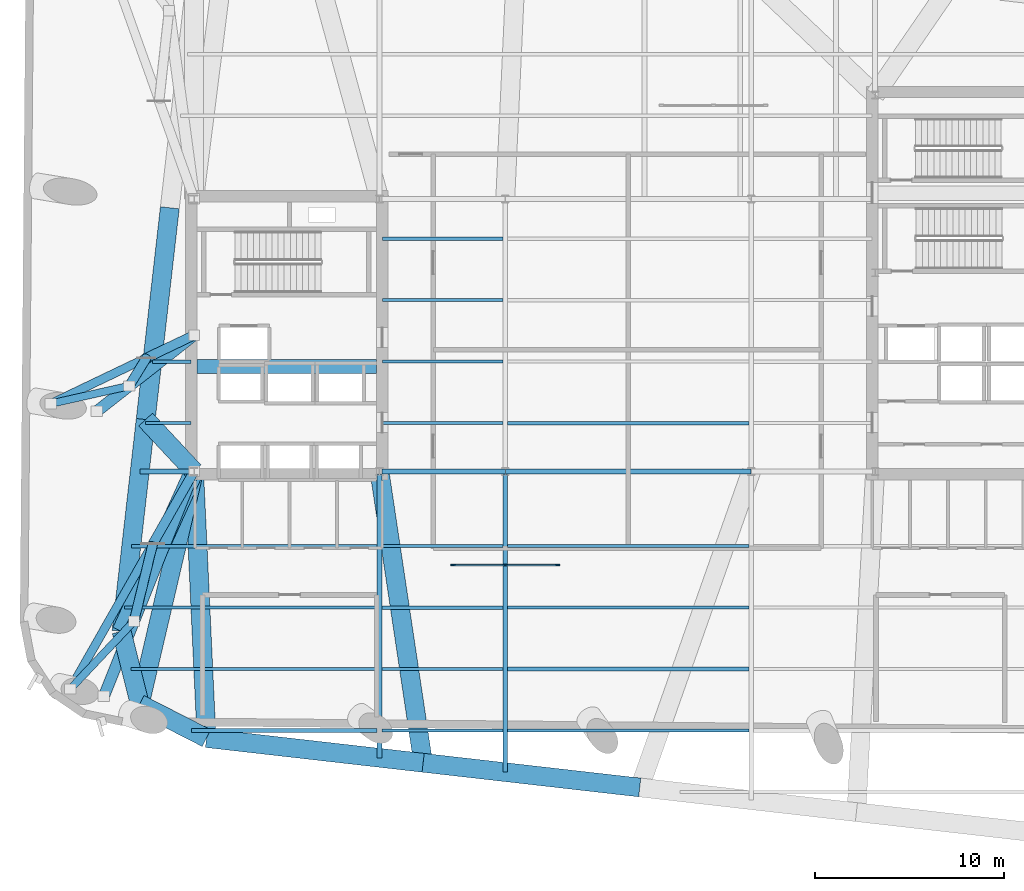
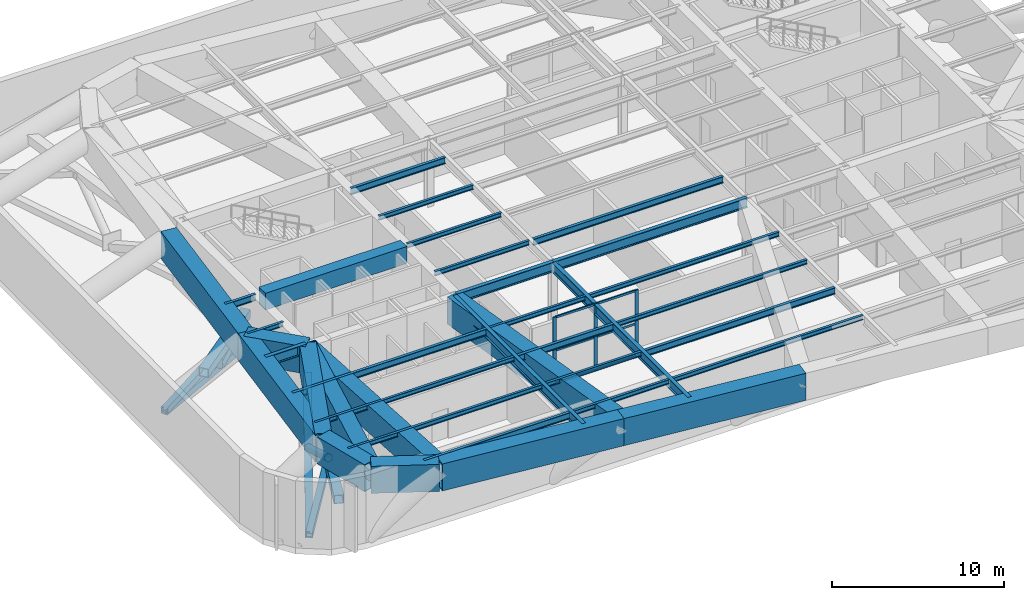
# One storey, part 3 of 13: 36 beams, 19 members, 1 element without a shape of its own.
"""IFC4 building model written with IfcOpenShell, lengths in metres."""

from ifc_helpers import new_model, si_unit, direction, frame, origin, origin_2d, place, context, subcontext, project, spatial, rectangle, hollow_rectangle, hollow_circle, i_section, extrude, material, material_profile, profile_set, type_object, element, aggregate, save


model = new_model("IFC4")

# Units and contexts
model_context = context("Model", 3, precision=1e-05, world=origin(), true_north=direction((0.0, 1.0)))
body_context = subcontext(model_context, "Body", "Model", "MODEL_VIEW")
ifc_project = project(units=[si_unit("LENGTHUNIT", "METRE"), si_unit("AREAUNIT", "SQUARE_METRE"), si_unit("VOLUMEUNIT", "CUBIC_METRE"), si_unit("PLANEANGLEUNIT", "RADIAN"), si_unit("MASSUNIT", "GRAM", prefix="KILO")], contexts=[model_context])

# Site, building, storey
site_placement = place(None, origin())
site = spatial("IfcSite", under=ifc_project, at=site_placement, CompositionType="ELEMENT")
building_placement = place(site_placement, origin())
building = spatial("IfcBuilding", under=site, at=building_placement, Name="Kolvaren Arena Tower", CompositionType="ELEMENT")
storey_placement = place(building_placement, frame((0.0, 0.0, 210.949951171875)))
storey = spatial("IfcBuildingStorey", under=building, at=storey_placement, Name="L51", CompositionType="ELEMENT", Elevation=210.949951171875)

# Beams
ifc_material_1 = material(Name="Steel CSA G40.21 350W", Category="steel")
ifc_material_profile_1 = material_profile(ifc_material_1, i_section(OverallWidth=0.193115234375, OverallDepth=0.462890625, WebThickness=0.0107421875, FlangeThickness=0.0205078125, FilletRadius=0.012939453125, at=origin_2d()), Name="W460x113")
ifc_profile_set_1 = profile_set([ifc_material_profile_1], Name="Steel CSA G40.21 350W")
beam_type_1 = type_object("IfcBeamType", Name="BEAM-F2", PredefinedType="BEAM", material=ifc_profile_set_1)
beam_1_placement = place(storey_placement, frame((14.42626953125, 5.75, 4.5185546875), z_axis=(1.0, 0.0, 0.0), x_axis=(0.0, 1.0, 0.0)))
element("IfcBeam", 1, at=beam_1_placement, inside=storey, type_object=beam_type_1, Name="Composite Floor Beam (L51)", PredefinedType="BEAM", context=body_context, shape_type="SweptSolid", body=[
    extrude(i_section(OverallWidth=0.193115234375, OverallDepth=0.462890625, WebThickness=0.0107421875, FlangeThickness=0.0205078125, FilletRadius=0.012939453125, at=origin_2d()), origin(), (0.0, 0.0, 1.0), 9.796142578125),
])
beam_2_placement = place(storey_placement, frame((31.12744140625, 9.0, 4.5185546875), z_axis=(1.0, 0.0, 0.0), x_axis=(0.0, 1.0, 0.0)))
element("IfcBeam", 2, at=beam_2_placement, inside=storey, type_object=beam_type_1, Name="Composite Floor Beam (L51)", PredefinedType="BEAM", context=body_context, shape_type="SweptSolid", body=[
    extrude(i_section(OverallWidth=0.193115234375, OverallDepth=0.462890625, WebThickness=0.0107421875, FlangeThickness=0.0205078125, FilletRadius=0.012939453125, at=origin_2d()), origin(), (0.0, 0.0, 1.0), 12.7451171875),
])
beam_3_placement = place(storey_placement, frame((24.4775390625, 12.25, 4.5185546875), z_axis=(1.0, 0.0, 0.0), x_axis=(0.0, 1.0, 0.0)))
element("IfcBeam", 3, at=beam_3_placement, inside=storey, type_object=beam_type_1, Name="Composite Floor Beam (L51)", PredefinedType="BEAM", context=body_context, shape_type="SweptSolid", body=[
    extrude(i_section(OverallWidth=0.193115234375, OverallDepth=0.462890625, WebThickness=0.0107421875, FlangeThickness=0.0205078125, FilletRadius=0.012939453125, at=origin_2d()), origin(), (0.0, 0.0, 1.0), 6.39501953125),
])
beam_4_placement = place(storey_placement, frame((11.23095703125, 15.5, 4.5185546875), z_axis=(1.0, 0.0, 0.0), x_axis=(0.0, 1.0, 0.0)))
element("IfcBeam", 4, at=beam_4_placement, inside=storey, type_object=beam_type_1, Name="Composite Floor Beam (L51)", PredefinedType="BEAM", context=body_context, shape_type="SweptSolid", body=[
    extrude(i_section(OverallWidth=0.193115234375, OverallDepth=0.462890625, WebThickness=0.0107421875, FlangeThickness=0.0205078125, FilletRadius=0.012939453125, at=origin_2d()), origin(), (0.0, 0.0, 1.0), 12.991455078125),
])
beam_5_placement = place(storey_placement, frame((31.12744140625, 22.0, 4.5185546875), z_axis=(1.0, 0.0, 0.0), x_axis=(0.0, 1.0, 0.0)))
element("IfcBeam", 5, at=beam_5_placement, inside=storey, type_object=beam_type_1, Name="Composite Floor Beam (L51)", PredefinedType="BEAM", context=body_context, shape_type="SweptSolid", body=[
    extrude(i_section(OverallWidth=0.193115234375, OverallDepth=0.462890625, WebThickness=0.0107421875, FlangeThickness=0.0205078125, FilletRadius=0.012939453125, at=origin_2d()), origin(), (0.0, 0.0, 1.0), 12.7451171875),
])
beam_6_placement = place(storey_placement, frame((12.341796875, 25.25, 4.5185546875), z_axis=(1.0, 0.0, 0.0), x_axis=(0.0, 1.0, 0.0)))
element("IfcBeam", 6, at=beam_6_placement, inside=storey, type_object=beam_type_1, Name="Composite Floor Beam (L51)", PredefinedType="BEAM", context=body_context, shape_type="SweptSolid", body=[
    extrude(i_section(OverallWidth=0.193115234375, OverallDepth=0.462890625, WebThickness=0.0107421875, FlangeThickness=0.0205078125, FilletRadius=0.012939453125, at=origin_2d()), origin(), (0.0, 0.0, 1.0), 2.0380859375),
])
beam_7_placement = place(storey_placement, frame((24.52001953125, 31.75, 4.5185546875), z_axis=(1.0, 0.0, 0.0), x_axis=(0.0, 1.0, 0.0)))
element("IfcBeam", 7, at=beam_7_placement, inside=storey, type_object=beam_type_1, Name="Composite Floor Beam (L51)", PredefinedType="BEAM", context=body_context, shape_type="SweptSolid", body=[
    extrude(i_section(OverallWidth=0.193115234375, OverallDepth=0.462890625, WebThickness=0.0107421875, FlangeThickness=0.0205078125, FilletRadius=0.012939453125, at=origin_2d()), origin(), (0.0, 0.0, 1.0), 6.3525390625),
])

# Members
ifc_material_2 = material(Name="Steel CSA G40.21 350WT", Category="steel")
ifc_material_profile_2 = material_profile(ifc_material_2, hollow_rectangle(XDim=0.449951171875, YDim=0.449951171875, WallThickness=0.02001953125, at=origin_2d()), Name="HSS 450x450x20")
ifc_profile_set_2 = profile_set([ifc_material_profile_2], Name="Steel CSA G40.21 350WT")
member_type_1 = type_object("IfcMemberType", Name="BELT-CHORD", PredefinedType="CHORD", material=ifc_profile_set_2)
member_1_placement = place(storey_placement, frame((14.550048828125, 19.449951171875, 0.35009765625), z_axis=(-0.494598493535, -0.869121585391, 0.0), x_axis=(0.869121585391, -0.494598493535, 0.0)))
element("IfcMember", 8, at=member_1_placement, inside=storey, type_object=member_type_1, Name="Belt Truss Bottom Chord 1 (L51)", PredefinedType="CHORD", context=body_context, shape_type="SweptSolid", body=[
    extrude(hollow_rectangle(XDim=0.449951171875, YDim=0.449951171875, WallThickness=0.02001953125, at=origin_2d()), origin(), (0.0, 0.0, 1.0), 13.234375),
])
member_2_placement = place(storey_placement, frame((14.550048828125, 26.64990234375, 0.35009765625), z_axis=(-0.902058891434, -0.431612970594, 0.0), x_axis=(0.431612970594, -0.902058891434, 0.0)))
element("IfcMember", 9, at=member_2_placement, inside=storey, type_object=member_type_1, Name="Belt Truss Bottom Chord 5 (L51)", PredefinedType="CHORD", context=body_context, shape_type="SweptSolid", body=[
    extrude(hollow_rectangle(XDim=0.449951171875, YDim=0.449951171875, WallThickness=0.02001953125, at=origin_2d()), origin(), (0.0, 0.0, 1.0), 8.39306640625),
])
ifc_material_profile_3 = material_profile(ifc_material_2, hollow_rectangle(XDim=0.39990234375, YDim=0.39990234375, WallThickness=0.01611328125, at=origin_2d()), Name="HSS 400x400x16")
ifc_profile_set_3 = profile_set([ifc_material_profile_3], Name="Steel CSA G40.21 350WT")
member_type_2 = type_object("IfcMemberType", Name="BELT-DIAG", PredefinedType="BRACE", material=ifc_profile_set_3)
member_3_placement = place(storey_placement, frame((11.37255859375, 11.525390625, 2.47998046875), z_axis=(-0.628927415445, -0.668041631337, -0.39770678257), x_axis=(0.728100795107, -0.685470081159, 0.0)))
element("IfcMember", 10, at=member_3_placement, inside=storey, type_object=member_type_2, Name="Belt Truss Warren Diagonal C 1 (L51)", PredefinedType="BRACE", context=body_context, shape_type="SweptSolid", body=[
    extrude(hollow_rectangle(XDim=0.39990234375, YDim=0.39990234375, WallThickness=0.01611328125, at=origin_2d()), origin(), (0.0, 0.0, 1.0), 5.35546875),
])
member_4_placement = place(storey_placement, frame((11.120849609375, 23.964599609375, 2.47998046875), z_axis=(-0.871827742136, -0.197285393579, -0.448324504709), x_axis=(0.220709052537, -0.97533969166, 0.0)))
element("IfcMember", 11, at=member_4_placement, inside=storey, type_object=member_type_2, Name="Belt Truss Warren Diagonal C 5 (L51)", PredefinedType="BRACE", context=body_context, shape_type="SweptSolid", body=[
    extrude(hollow_rectangle(XDim=0.39990234375, YDim=0.39990234375, WallThickness=0.01611328125, at=origin_2d()), origin(), (0.0, 0.0, 1.0), 4.750732421875),
])

# Beam
ifc_material_3 = material(Name="Concrete 60 MPa", Category="concrete")
ifc_material_profile_4 = material_profile(ifc_material_3, rectangle(XDim=0.75, YDim=1.199951171875, at=origin_2d()), Name="RC-750x1200")
ifc_profile_set_4 = profile_set([ifc_material_profile_4], Name="Concrete 60 MPa")
beam_type_2 = type_object("IfcBeamType", Name="CB-CORE-2", PredefinedType="BEAM", material=ifc_profile_set_4)
beam_8_placement = place(storey_placement, frame((14.699951171875, 25.0, 4.420166015625), z_axis=(1.0, 0.0, 0.0), x_axis=(0.0, 1.0, 0.0)))
element("IfcBeam", 12, at=beam_8_placement, inside=storey, type_object=beam_type_2, Name="West Core Coupling Beam (L51)", PredefinedType="BEAM", context=body_context, shape_type="SweptSolid", body=[
    extrude(rectangle(XDim=0.75, YDim=1.199951171875, at=origin_2d()), origin(), (0.0, 0.0, 1.0), 9.5),
])

# Curtain wall, members
ifc_material_4 = material(Name="Anodised aluminium unitised curtain wall", Category="aluminium")
curtain_wall_type = type_object("IfcCurtainWallType", Name="CW-SYS-05", PredefinedType="USERDEFINED", material=ifc_material_4)
curtain_wall_placement = place(storey_placement, origin())
curtain_wall = element("IfcCurtainWall", 13, at=curtain_wall_placement, inside=storey, type_object=curtain_wall_type, Name="Mechanical Plant Louvre Curtain Wall (L51)", ObjectType="ACOUSTIC LOUVRE SCREEN", PredefinedType="USERDEFINED")
ifc_material_5 = material(Name="Anodised aluminium 6063-T6", Category="aluminium")
ifc_material_profile_5 = material_profile(ifc_material_5, rectangle(XDim=0.10009765625, YDim=0.239990234375, at=origin_2d()), Name="ALU-100x240")
ifc_profile_set_5 = profile_set([ifc_material_profile_5], Name="Anodised aluminium 6063-T6")
member_type_3 = type_object("IfcMemberType", Name="CWM-HVY", PredefinedType="MULLION", material=ifc_profile_set_5)
member_5_placement = place(storey_placement, frame((28.25, 14.5, 0.0), z_axis=(0.0, 0.0, 1.0), x_axis=(0.0, 1.0, 0.0)))
member_5 = element("IfcMember", 14, at=member_5_placement, type_object=member_type_3, Name="CW5 mullion 1", PredefinedType="MULLION", context=body_context, shape_type="SweptSolid", body=[
    extrude(rectangle(XDim=0.10009765625, YDim=0.239990234375, at=origin_2d()), origin(), (0.0, 0.0, 1.0), 4.75),
])
member_6_placement = place(storey_placement, frame((31.0, 14.5, 0.0), z_axis=(0.0, 0.0, 1.0), x_axis=(0.0, 1.0, 0.0)))
member_6 = element("IfcMember", 15, at=member_6_placement, type_object=member_type_3, Name="CW5 mullion 2", PredefinedType="MULLION", context=body_context, shape_type="SweptSolid", body=[
    extrude(rectangle(XDim=0.10009765625, YDim=0.239990234375, at=origin_2d()), origin(), (0.0, 0.0, 1.0), 4.75),
])
member_7_placement = place(storey_placement, frame((33.75, 14.5, 0.0), z_axis=(0.0, 0.0, 1.0), x_axis=(0.0, 1.0, 0.0)))
member_7 = element("IfcMember", 16, at=member_7_placement, type_object=member_type_3, Name="CW5 mullion 3", PredefinedType="MULLION", context=body_context, shape_type="SweptSolid", body=[
    extrude(rectangle(XDim=0.10009765625, YDim=0.239990234375, at=origin_2d()), origin(), (0.0, 0.0, 1.0), 4.75),
])
ifc_material_profile_6 = material_profile(ifc_material_5, rectangle(XDim=0.080078125, YDim=0.14990234375, at=origin_2d()), Name="ALU-80x150")
ifc_profile_set_6 = profile_set([ifc_material_profile_6], Name="Anodised aluminium 6063-T6")
member_type_4 = type_object("IfcMemberType", Name="CWT-STD", PredefinedType="USERDEFINED", material=ifc_profile_set_6)
member_8_placement = place(storey_placement, frame((28.300048828125, 14.5, 0.0400390625), z_axis=(1.0, 0.0, 0.0), x_axis=(0.0, 1.0, 0.0)))
member_8 = element("IfcMember", 17, at=member_8_placement, type_object=member_type_4, Name="CW5 transom 1.1", ObjectType="TRANSOM", PredefinedType="USERDEFINED", context=body_context, shape_type="SweptSolid", body=[
    extrude(rectangle(XDim=0.080078125, YDim=0.14990234375, at=origin_2d()), origin(), (0.0, 0.0, 1.0), 2.64990234375),
])
member_9_placement = place(storey_placement, frame((28.300048828125, 14.5, 2.375), z_axis=(1.0, 0.0, 0.0), x_axis=(0.0, 1.0, 0.0)))
member_9 = element("IfcMember", 18, at=member_9_placement, type_object=member_type_4, Name="CW5 transom 1.2", ObjectType="TRANSOM", PredefinedType="USERDEFINED", context=body_context, shape_type="SweptSolid", body=[
    extrude(rectangle(XDim=0.080078125, YDim=0.14990234375, at=origin_2d()), origin(), (0.0, 0.0, 1.0), 2.64990234375),
])
member_10_placement = place(storey_placement, frame((28.300048828125, 14.5, 4.7099609375), z_axis=(1.0, 0.0, 0.0), x_axis=(0.0, 1.0, 0.0)))
member_10 = element("IfcMember", 19, at=member_10_placement, type_object=member_type_4, Name="CW5 transom 1.3", ObjectType="TRANSOM", PredefinedType="USERDEFINED", context=body_context, shape_type="SweptSolid", body=[
    extrude(rectangle(XDim=0.080078125, YDim=0.14990234375, at=origin_2d()), origin(), (0.0, 0.0, 1.0), 2.64990234375),
])
member_11_placement = place(storey_placement, frame((31.050048828125, 14.5, 0.0400390625), z_axis=(1.0, 0.0, 0.0), x_axis=(0.0, 1.0, 0.0)))
member_11 = element("IfcMember", 20, at=member_11_placement, type_object=member_type_4, Name="CW5 transom 2.1", ObjectType="TRANSOM", PredefinedType="USERDEFINED", context=body_context, shape_type="SweptSolid", body=[
    extrude(rectangle(XDim=0.080078125, YDim=0.14990234375, at=origin_2d()), origin(), (0.0, 0.0, 1.0), 2.64990234375),
])
member_12_placement = place(storey_placement, frame((31.050048828125, 14.5, 2.375), z_axis=(1.0, 0.0, 0.0), x_axis=(0.0, 1.0, 0.0)))
member_12 = element("IfcMember", 21, at=member_12_placement, type_object=member_type_4, Name="CW5 transom 2.2", ObjectType="TRANSOM", PredefinedType="USERDEFINED", context=body_context, shape_type="SweptSolid", body=[
    extrude(rectangle(XDim=0.080078125, YDim=0.14990234375, at=origin_2d()), origin(), (0.0, 0.0, 1.0), 2.64990234375),
])
member_13_placement = place(storey_placement, frame((31.050048828125, 14.5, 4.7099609375), z_axis=(1.0, 0.0, 0.0), x_axis=(0.0, 1.0, 0.0)))
member_13 = element("IfcMember", 22, at=member_13_placement, type_object=member_type_4, Name="CW5 transom 2.3", ObjectType="TRANSOM", PredefinedType="USERDEFINED", context=body_context, shape_type="SweptSolid", body=[
    extrude(rectangle(XDim=0.080078125, YDim=0.14990234375, at=origin_2d()), origin(), (0.0, 0.0, 1.0), 2.64990234375),
])
aggregate(curtain_wall, [member_5, member_6, member_7, member_8, member_9, member_10, member_11, member_12, member_13])

# Members
ifc_material_profile_7 = material_profile(ifc_material_2, hollow_circle(Radius=0.25390625, WallThickness=0.02490234375, at=origin_2d()), Name="CHS 508x25")
ifc_profile_set_7 = profile_set([ifc_material_profile_7], Name="Steel CSA G40.21 350WT")
member_type_5 = type_object("IfcMemberType", Name="EXO-BRACE1", PredefinedType="BRACE", material=ifc_profile_set_7)
member_14_placement = place(storey_placement, frame((12.3681640625, 15.615966796875, 0.35009765625), z_axis=(-0.211018415547, -0.866996947645, 0.45142831222), x_axis=(0.971634839062, -0.236486235374, 0.0)))
element("IfcMember", 23, at=member_14_placement, inside=storey, type_object=member_type_5, Name="Outrigger Warren Diagonal B 1 (L51)", PredefinedType="BRACE", context=body_context, shape_type="SweptSolid", body=[
    extrude(hollow_circle(Radius=0.25390625, WallThickness=0.02490234375, at=origin_2d()), origin(), (0.0, 0.0, 1.0), 4.718017578125),
])
member_15_placement = place(storey_placement, frame((12.0263671875, 25.4423828125, 0.35009765625), z_axis=(-0.329765545408, -0.538169546065, 0.775646971728), x_axis=(0.852657934508, -0.522469565354, 0.0)))
element("IfcMember", 24, at=member_15_placement, inside=storey, type_object=member_type_5, Name="Outrigger Warren Diagonal B 5 (L51)", PredefinedType="BRACE", context=body_context, shape_type="SweptSolid", body=[
    extrude(hollow_circle(Radius=0.25390625, WallThickness=0.02490234375, at=origin_2d()), origin(), (0.0, 0.0, 1.0), 2.745849609375),
])

# Beams
ifc_material_profile_8 = material_profile(ifc_material_1, i_section(OverallWidth=0.2548828125, OverallDepth=0.695068359375, WebThickness=0.01708984375, FlangeThickness=0.02978515625, FilletRadius=0.01611328125, at=origin_2d()), Name="W690x217")
ifc_profile_set_8 = profile_set([ifc_material_profile_8], Name="Steel CSA G40.21 350W")
beam_type_3 = type_object("IfcBeamType", Name="GIRD-T2", PredefinedType="BEAM", material=ifc_profile_set_8)
beam_9_placement = place(storey_placement, frame((11.68115234375, 19.449951171875, 4.402587890625), z_axis=(1.0, 0.0, 0.0), x_axis=(0.0, 1.0, 0.0)))
element("IfcBeam", 25, at=beam_9_placement, inside=storey, type_object=beam_type_3, Name="Primary Floor Girder (L51)", PredefinedType="BEAM", context=body_context, shape_type="SweptSolid", body=[
    extrude(i_section(OverallWidth=0.2548828125, OverallDepth=0.695068359375, WebThickness=0.01708984375, FlangeThickness=0.02978515625, FilletRadius=0.01611328125, at=origin_2d()), origin(), (0.0, 0.0, 1.0), 2.73876953125),
])
beam_10_placement = place(storey_placement, frame((24.47998046875, 19.449951171875, 4.402587890625), z_axis=(1.0, 0.0, 0.0), x_axis=(0.0, 1.0, 0.0)))
element("IfcBeam", 26, at=beam_10_placement, inside=storey, type_object=beam_type_3, Name="Primary Floor Girder (L51)", PredefinedType="BEAM", context=body_context, shape_type="SweptSolid", body=[
    extrude(i_section(OverallWidth=0.2548828125, OverallDepth=0.695068359375, WebThickness=0.01708984375, FlangeThickness=0.02978515625, FilletRadius=0.01611328125, at=origin_2d()), origin(), (0.0, 0.0, 1.0), 6.52001953125),
])
beam_11_placement = place(storey_placement, frame((31.0, 19.449951171875, 4.402587890625), z_axis=(1.0, 0.0, 0.0), x_axis=(0.0, 1.0, 0.0)))
element("IfcBeam", 27, at=beam_11_placement, inside=storey, type_object=beam_type_3, Name="Primary Floor Girder (L51)", PredefinedType="BEAM", context=body_context, shape_type="SweptSolid", body=[
    extrude(i_section(OverallWidth=0.2548828125, OverallDepth=0.695068359375, WebThickness=0.01708984375, FlangeThickness=0.02978515625, FilletRadius=0.01611328125, at=origin_2d()), origin(), (0.0, 0.0, 1.0), 13.0),
])
beam_12_placement = place(storey_placement, frame((24.35009765625, 4.30908203125, 4.402587890625), z_axis=(0.0, 1.0, 0.0), x_axis=(-1.0, 0.0, 0.0)))
element("IfcBeam", 28, at=beam_12_placement, inside=storey, type_object=beam_type_3, Name="Primary Floor Girder (L51)", PredefinedType="BEAM", context=body_context, shape_type="SweptSolid", body=[
    extrude(i_section(OverallWidth=0.2548828125, OverallDepth=0.695068359375, WebThickness=0.01708984375, FlangeThickness=0.02978515625, FilletRadius=0.01611328125, at=origin_2d()), origin(), (0.0, 0.0, 1.0), 15.010986328125),
])
beam_13_placement = place(storey_placement, frame((31.0, 3.551513671875, 4.402587890625), z_axis=(0.0, 1.0, 0.0), x_axis=(-1.0, 0.0, 0.0)))
element("IfcBeam", 29, at=beam_13_placement, inside=storey, type_object=beam_type_3, Name="Primary Floor Girder (L51)", PredefinedType="BEAM", context=body_context, shape_type="SweptSolid", body=[
    extrude(i_section(OverallWidth=0.2548828125, OverallDepth=0.695068359375, WebThickness=0.01708984375, FlangeThickness=0.02978515625, FilletRadius=0.01611328125, at=origin_2d()), origin(), (0.0, 0.0, 1.0), 15.8984375),
])
ifc_material_profile_9 = material_profile(ifc_material_1, i_section(OverallWidth=0.1669921875, OverallDepth=0.31689453125, WebThickness=0.007568359375, FlangeThickness=0.01318359375, FilletRadius=0.010009765625, at=origin_2d()), Name="W310x52")
ifc_profile_set_9 = profile_set([ifc_material_profile_9], Name="Steel CSA G40.21 350W")
beam_type_4 = type_object("IfcBeamType", Name="JOIST-02", PredefinedType="JOIST", material=ifc_profile_set_9)
beam_14_placement = place(storey_placement, frame((24.4775390625, 5.75, 4.591552734375), z_axis=(1.0, 0.0, 0.0), x_axis=(0.0, 1.0, 0.0)))
element("IfcBeam", 30, at=beam_14_placement, inside=storey, type_object=beam_type_4, Name="Composite Floor Joist (L51)", PredefinedType="JOIST", context=body_context, shape_type="SweptSolid", body=[
    extrude(i_section(OverallWidth=0.1669921875, OverallDepth=0.31689453125, WebThickness=0.007568359375, FlangeThickness=0.01318359375, FilletRadius=0.010009765625, at=origin_2d()), origin(), (0.0, 0.0, 1.0), 6.39501953125),
])
beam_15_placement = place(storey_placement, frame((31.12744140625, 5.75, 4.591552734375), z_axis=(1.0, 0.0, 0.0), x_axis=(0.0, 1.0, 0.0)))
element("IfcBeam", 31, at=beam_15_placement, inside=storey, type_object=beam_type_4, Name="Composite Floor Joist (L51)", PredefinedType="JOIST", context=body_context, shape_type="SweptSolid", body=[
    extrude(i_section(OverallWidth=0.1669921875, OverallDepth=0.31689453125, WebThickness=0.007568359375, FlangeThickness=0.01318359375, FilletRadius=0.010009765625, at=origin_2d()), origin(), (0.0, 0.0, 1.0), 12.7451171875),
])
beam_16_placement = place(storey_placement, frame((11.217529296875, 9.0, 4.591552734375), z_axis=(1.0, 0.0, 0.0), x_axis=(0.0, 1.0, 0.0)))
element("IfcBeam", 32, at=beam_16_placement, inside=storey, type_object=beam_type_4, Name="Composite Floor Joist (L51)", PredefinedType="JOIST", context=body_context, shape_type="SweptSolid", body=[
    extrude(i_section(OverallWidth=0.1669921875, OverallDepth=0.31689453125, WebThickness=0.007568359375, FlangeThickness=0.01318359375, FilletRadius=0.010009765625, at=origin_2d()), origin(), (0.0, 0.0, 1.0), 13.0048828125),
])
beam_17_placement = place(storey_placement, frame((24.4775390625, 9.0, 4.591552734375), z_axis=(1.0, 0.0, 0.0), x_axis=(0.0, 1.0, 0.0)))
element("IfcBeam", 33, at=beam_17_placement, inside=storey, type_object=beam_type_4, Name="Composite Floor Joist (L51)", PredefinedType="JOIST", context=body_context, shape_type="SweptSolid", body=[
    extrude(i_section(OverallWidth=0.1669921875, OverallDepth=0.31689453125, WebThickness=0.007568359375, FlangeThickness=0.01318359375, FilletRadius=0.010009765625, at=origin_2d()), origin(), (0.0, 0.0, 1.0), 6.39501953125),
])
beam_18_placement = place(storey_placement, frame((10.86083984375, 12.25, 4.591552734375), z_axis=(1.0, 0.0, 0.0), x_axis=(0.0, 1.0, 0.0)))
element("IfcBeam", 34, at=beam_18_placement, inside=storey, type_object=beam_type_4, Name="Composite Floor Joist (L51)", PredefinedType="JOIST", context=body_context, shape_type="SweptSolid", body=[
    extrude(i_section(OverallWidth=0.1669921875, OverallDepth=0.31689453125, WebThickness=0.007568359375, FlangeThickness=0.01318359375, FilletRadius=0.010009765625, at=origin_2d()), origin(), (0.0, 0.0, 1.0), 13.361572265625),
])
beam_19_placement = place(storey_placement, frame((31.12744140625, 12.25, 4.591552734375), z_axis=(1.0, 0.0, 0.0), x_axis=(0.0, 1.0, 0.0)))
element("IfcBeam", 35, at=beam_19_placement, inside=storey, type_object=beam_type_4, Name="Composite Floor Joist (L51)", PredefinedType="JOIST", context=body_context, shape_type="SweptSolid", body=[
    extrude(i_section(OverallWidth=0.1669921875, OverallDepth=0.31689453125, WebThickness=0.007568359375, FlangeThickness=0.01318359375, FilletRadius=0.010009765625, at=origin_2d()), origin(), (0.0, 0.0, 1.0), 12.7451171875),
])
beam_20_placement = place(storey_placement, frame((24.4775390625, 15.5, 4.591552734375), z_axis=(1.0, 0.0, 0.0), x_axis=(0.0, 1.0, 0.0)))
element("IfcBeam", 36, at=beam_20_placement, inside=storey, type_object=beam_type_4, Name="Composite Floor Joist (L51)", PredefinedType="JOIST", context=body_context, shape_type="SweptSolid", body=[
    extrude(i_section(OverallWidth=0.1669921875, OverallDepth=0.31689453125, WebThickness=0.007568359375, FlangeThickness=0.01318359375, FilletRadius=0.010009765625, at=origin_2d()), origin(), (0.0, 0.0, 1.0), 6.39501953125),
])
beam_21_placement = place(storey_placement, frame((31.12744140625, 15.5, 4.591552734375), z_axis=(1.0, 0.0, 0.0), x_axis=(0.0, 1.0, 0.0)))
element("IfcBeam", 37, at=beam_21_placement, inside=storey, type_object=beam_type_4, Name="Composite Floor Joist (L51)", PredefinedType="JOIST", context=body_context, shape_type="SweptSolid", body=[
    extrude(i_section(OverallWidth=0.1669921875, OverallDepth=0.31689453125, WebThickness=0.007568359375, FlangeThickness=0.01318359375, FilletRadius=0.010009765625, at=origin_2d()), origin(), (0.0, 0.0, 1.0), 12.7451171875),
])
beam_22_placement = place(storey_placement, frame((11.9716796875, 22.0, 4.591552734375), z_axis=(1.0, 0.0, 0.0), x_axis=(0.0, 1.0, 0.0)))
element("IfcBeam", 38, at=beam_22_placement, inside=storey, type_object=beam_type_4, Name="Composite Floor Joist (L51)", PredefinedType="JOIST", context=body_context, shape_type="SweptSolid", body=[
    extrude(i_section(OverallWidth=0.1669921875, OverallDepth=0.31689453125, WebThickness=0.007568359375, FlangeThickness=0.01318359375, FilletRadius=0.010009765625, at=origin_2d()), origin(), (0.0, 0.0, 1.0), 2.408203125),
])
for number, where, z_axis, x_axis, name in (
    (39, (24.52001953125, 22.0, 4.591552734375), (1.0, 0.0, 0.0), (0.0, 1.0, 0.0), "Composite Floor Joist (L51)"),
    (40, (24.52001953125, 25.25, 4.591552734375), (1.0, 0.0, 0.0), (0.0, 1.0, 0.0), "Composite Floor Joist (L51)"),
    (41, (24.52001953125, 28.5, 4.591552734375), (1.0, 0.0, 0.0), (0.0, 1.0, 0.0), "Composite Floor Joist (L51)"),
):
    element("IfcBeam", number, at=place(storey_placement, frame(where, z_axis=z_axis, x_axis=x_axis)), inside=storey, type_object=beam_type_4, Name=name, PredefinedType="JOIST", context=body_context, shape_type="SweptSolid", body=[
        extrude(i_section(OverallWidth=0.1669921875, OverallDepth=0.31689453125, WebThickness=0.007568359375, FlangeThickness=0.01318359375, FilletRadius=0.010009765625, at=origin_2d()), origin(), (0.0, 0.0, 1.0), 6.3525390625),
    ])

# Members
ifc_material_profile_10 = material_profile(ifc_material_2, hollow_rectangle(XDim=0.60009765625, YDim=0.60009765625, WallThickness=0.02490234375, at=origin_2d()), Name="HSS 600x600x25")
ifc_profile_set_10 = profile_set([ifc_material_profile_10], Name="Steel CSA G40.21 350WT")
member_type_6 = type_object("IfcMemberType", Name="OUT-CHORD", PredefinedType="CHORD", material=ifc_profile_set_10)
member_16_placement = place(storey_placement, frame((14.550048828125, 19.449951171875, 2.47998046875), z_axis=(-0.372153081751, -0.928171365505, 0.0), x_axis=(0.928171365505, -0.372153081751, 0.0)))
element("IfcMember", 42, at=member_16_placement, inside=storey, type_object=member_type_6, Name="Outrigger Top Chord 1 (L51)", PredefinedType="CHORD", context=body_context, shape_type="SweptSolid", body=[
    extrude(hollow_rectangle(XDim=0.60009765625, YDim=0.60009765625, WallThickness=0.02490234375, at=origin_2d()), origin(), (0.0, 0.0, 1.0), 12.806884765625),
])
member_17_placement = place(storey_placement, frame((14.550048828125, 26.64990234375, 2.47998046875), z_axis=(-0.78730151623, -0.616568181584, 0.0), x_axis=(0.616568181584, -0.78730151623, 0.0)))
element("IfcMember", 43, at=member_17_placement, inside=storey, type_object=member_type_6, Name="Outrigger Top Chord 5 (L51)", PredefinedType="CHORD", context=body_context, shape_type="SweptSolid", body=[
    extrude(hollow_rectangle(XDim=0.60009765625, YDim=0.60009765625, WallThickness=0.02490234375, at=origin_2d()), origin(), (0.0, 0.0, 1.0), 6.533447265625),
])
ifc_material_profile_11 = material_profile(ifc_material_2, hollow_rectangle(XDim=0.5, YDim=0.5, WallThickness=0.02197265625, at=origin_2d()), Name="HSS 500x500x22")
ifc_profile_set_11 = profile_set([ifc_material_profile_11], Name="Steel CSA G40.21 350WT")
member_type_7 = type_object("IfcMemberType", Name="OUT-DIAG", PredefinedType="BRACE", material=ifc_profile_set_11)
member_18_placement = place(storey_placement, frame((14.550048828125, 19.449951171875, 2.47998046875), z_axis=(-0.445408230356, -0.782666537933, -0.434792592774), x_axis=(0.86911707249, -0.49460642364, 0.0)))
element("IfcMember", 44, at=member_18_placement, inside=storey, type_object=member_type_7, Name="Outrigger Warren Diagonal A 1 (L51)", PredefinedType="BRACE", context=body_context, shape_type="SweptSolid", body=[
    extrude(hollow_rectangle(XDim=0.5, YDim=0.5, WallThickness=0.02197265625, at=origin_2d()), origin(), (0.0, 0.0, 1.0), 4.898681640625),
])
member_19_placement = place(storey_placement, frame((14.550048828125, 26.64990234375, 2.47998046875), z_axis=(-0.717735325361, -0.343418682329, -0.605738897015), x_axis=(0.431612970594, -0.902058891434, 0.0)))
element("IfcMember", 45, at=member_19_placement, inside=storey, type_object=member_type_7, Name="Outrigger Warren Diagonal A 5 (L51)", PredefinedType="BRACE", context=body_context, shape_type="SweptSolid", body=[
    extrude(hollow_rectangle(XDim=0.5, YDim=0.5, WallThickness=0.02197265625, at=origin_2d()), origin(), (0.0, 0.0, 1.0), 3.51611328125),
])

# Beams
ifc_material_profile_12 = material_profile(ifc_material_2, hollow_rectangle(XDim=1.0, YDim=1.919921875, WallThickness=0.044921875, at=origin_2d()), Name="BOX 1000x1920x45")
ifc_profile_set_12 = profile_set([ifc_material_profile_12], Name="Steel CSA G40.21 350WT")
beam_type_5 = type_object("IfcBeamType", Name="TG-MEGA", PredefinedType="USERDEFINED", material=ifc_profile_set_12)
beam_23_placement = place(storey_placement, frame((15.207763671875, 5.350830078125, 3.7900390625), z_axis=(0.99357166944, -0.113204848336, 0.0), x_axis=(0.113204848336, 0.99357166944, 0.0)))
element("IfcBeam", 46, at=beam_23_placement, inside=storey, type_object=beam_type_5, Name="Perimeter Transfer Ring Girder 01 (L51)", ObjectType="TRANSFER GIRDER", PredefinedType="USERDEFINED", context=body_context, shape_type="SweptSolid", body=[
    extrude(hollow_rectangle(XDim=1.0, YDim=1.919921875, WallThickness=0.044921875, at=origin_2d()), origin(), (0.0, 0.0, 1.0), 11.52490234375),
])
beam_24_placement = place(storey_placement, frame((15.207763671875, 5.350830078125, 3.7900390625), z_axis=(-0.046598675073, 0.998913691708, 0.0), x_axis=(-0.998913691708, -0.046598675073, 0.0)))
element("IfcBeam", 47, at=beam_24_placement, inside=storey, type_object=beam_type_5, Name="Cantilever Block Transfer Girder 01 (L51)", ObjectType="TRANSFER GIRDER", PredefinedType="USERDEFINED", context=body_context, shape_type="SweptSolid", body=[
    extrude(hollow_rectangle(XDim=1.0, YDim=1.919921875, WallThickness=0.044921875, at=origin_2d()), origin(), (0.0, 0.0, 1.0), 14.114501953125),
])
beam_25_placement = place(storey_placement, frame((26.65869140625, 4.046142578125, 3.7900390625), z_axis=(0.99357166944, -0.113204848336, 0.0), x_axis=(0.113204848336, 0.99357166944, 0.0)))
element("IfcBeam", 48, at=beam_25_placement, inside=storey, type_object=beam_type_5, Name="Perimeter Transfer Ring Girder 02 (L51)", ObjectType="TRANSFER GIRDER", PredefinedType="USERDEFINED", context=body_context, shape_type="SweptSolid", body=[
    extrude(hollow_rectangle(XDim=1.0, YDim=1.919921875, WallThickness=0.044921875, at=origin_2d()), origin(), (0.0, 0.0, 1.0), 11.52490234375),
])
beam_26_placement = place(storey_placement, frame((26.65869140625, 4.046142578125, 3.7900390625), z_axis=(-0.148216283626, 0.988954970293, 0.0), x_axis=(-0.988954970293, -0.148216283626, 0.0)))
element("IfcBeam", 49, at=beam_26_placement, inside=storey, type_object=beam_type_5, Name="Cantilever Block Transfer Girder 02 (L51)", ObjectType="TRANSFER GIRDER", PredefinedType="USERDEFINED", context=body_context, shape_type="SweptSolid", body=[
    extrude(hollow_rectangle(XDim=1.0, YDim=1.919921875, WallThickness=0.044921875, at=origin_2d()), origin(), (0.0, 0.0, 1.0), 15.575927734375),
])
beam_27_placement = place(storey_placement, frame((13.268798828125, 33.3837890625, 3.7900390625), z_axis=(-0.113220850685, -0.993569846045, 0.0), x_axis=(0.993569846045, -0.113220850685, 0.0)))
element("IfcBeam", 50, at=beam_27_placement, inside=storey, type_object=beam_type_5, Name="Perimeter Transfer Ring Girder 19 (L51)", ObjectType="TRANSFER GIRDER", PredefinedType="USERDEFINED", context=body_context, shape_type="SweptSolid", body=[
    extrude(hollow_rectangle(XDim=1.0, YDim=1.919921875, WallThickness=0.044921875, at=origin_2d()), origin(), (0.0, 0.0, 1.0), 11.266845703125),
])
beam_28_placement = place(storey_placement, frame((11.9931640625, 22.189453125, 3.7900390625), z_axis=(-0.113201896536, -0.993572005755, 0.0), x_axis=(0.993572005755, -0.113201896536, 0.0)))
element("IfcBeam", 51, at=beam_28_placement, inside=storey, type_object=beam_type_5, Name="Perimeter Transfer Ring Girder 20 (L51)", ObjectType="TRANSFER GIRDER", PredefinedType="USERDEFINED", context=body_context, shape_type="SweptSolid", body=[
    extrude(hollow_rectangle(XDim=1.0, YDim=1.919921875, WallThickness=0.044921875, at=origin_2d()), origin(), (0.0, 0.0, 1.0), 11.2666015625),
])
beam_29_placement = place(storey_placement, frame((11.9931640625, 22.189453125, 3.7900390625), z_axis=(0.682320571631, -0.731053101716, 0.0), x_axis=(0.731053101716, 0.682320571631, 0.0)))
element("IfcBeam", 52, at=beam_29_placement, inside=storey, type_object=beam_type_5, Name="Cantilever Block Transfer Girder 20 (L51)", ObjectType="TRANSFER GIRDER", PredefinedType="USERDEFINED", context=body_context, shape_type="SweptSolid", body=[
    extrude(hollow_rectangle(XDim=1.0, YDim=1.919921875, WallThickness=0.044921875, at=origin_2d()), origin(), (0.0, 0.0, 1.0), 3.747314453125),
])
beam_30_placement = place(storey_placement, frame((10.7177734375, 10.995361328125, 3.7900390625), z_axis=(0.243014148252, -0.970022743934, 0.0), x_axis=(0.970022743934, 0.243014148252, 0.0)))
element("IfcBeam", 53, at=beam_30_placement, inside=storey, type_object=beam_type_5, Name="Perimeter Transfer Ring Girder 21 (L51)", ObjectType="TRANSFER GIRDER", PredefinedType="USERDEFINED", context=body_context, shape_type="SweptSolid", body=[
    extrude(hollow_rectangle(XDim=1.0, YDim=1.919921875, WallThickness=0.044921875, at=origin_2d()), origin(), (0.0, 0.0, 1.0), 3.961181640625),
])
beam_31_placement = place(storey_placement, frame((10.7177734375, 10.995361328125, 3.7900390625), z_axis=(0.412845614155, 0.910801020461, 0.0), x_axis=(-0.910801020461, 0.412845614155, 0.0)))
element("IfcBeam", 54, at=beam_31_placement, inside=storey, type_object=beam_type_5, Name="Cantilever Block Transfer Girder 21 (L51)", ObjectType="TRANSFER GIRDER", PredefinedType="USERDEFINED", context=body_context, shape_type="SweptSolid", body=[
    extrude(hollow_rectangle(XDim=1.0, YDim=1.919921875, WallThickness=0.044921875, at=origin_2d()), origin(), (0.0, 0.0, 1.0), 9.282470703125),
])
beam_32_placement = place(storey_placement, frame((11.680419921875, 7.15283203125, 3.7900390625), z_axis=(0.890522920884, -0.454938377564, 0.0), x_axis=(0.454938377564, 0.890522920884, 0.0)))
element("IfcBeam", 55, at=beam_32_placement, inside=storey, type_object=beam_type_5, Name="Perimeter Transfer Ring Girder 22 (L51)", ObjectType="TRANSFER GIRDER", PredefinedType="USERDEFINED", context=body_context, shape_type="SweptSolid", body=[
    extrude(hollow_rectangle(XDim=1.0, YDim=1.919921875, WallThickness=0.044921875, at=origin_2d()), origin(), (0.0, 0.0, 1.0), 3.9609375),
])
beam_33_placement = place(storey_placement, frame((11.680419921875, 7.15283203125, 3.7900390625), z_axis=(0.227252229641, 0.973835932857, 0.0), x_axis=(-0.973835932857, 0.227252229641, 0.0)))
element("IfcBeam", 56, at=beam_33_placement, inside=storey, type_object=beam_type_5, Name="Cantilever Block Transfer Girder 22 (L51)", ObjectType="TRANSFER GIRDER", PredefinedType="USERDEFINED", context=body_context, shape_type="SweptSolid", body=[
    extrude(hollow_rectangle(XDim=1.0, YDim=1.919921875, WallThickness=0.044921875, at=origin_2d()), origin(), (0.0, 0.0, 1.0), 12.62744140625),
])

save(model, "model.ifc")
